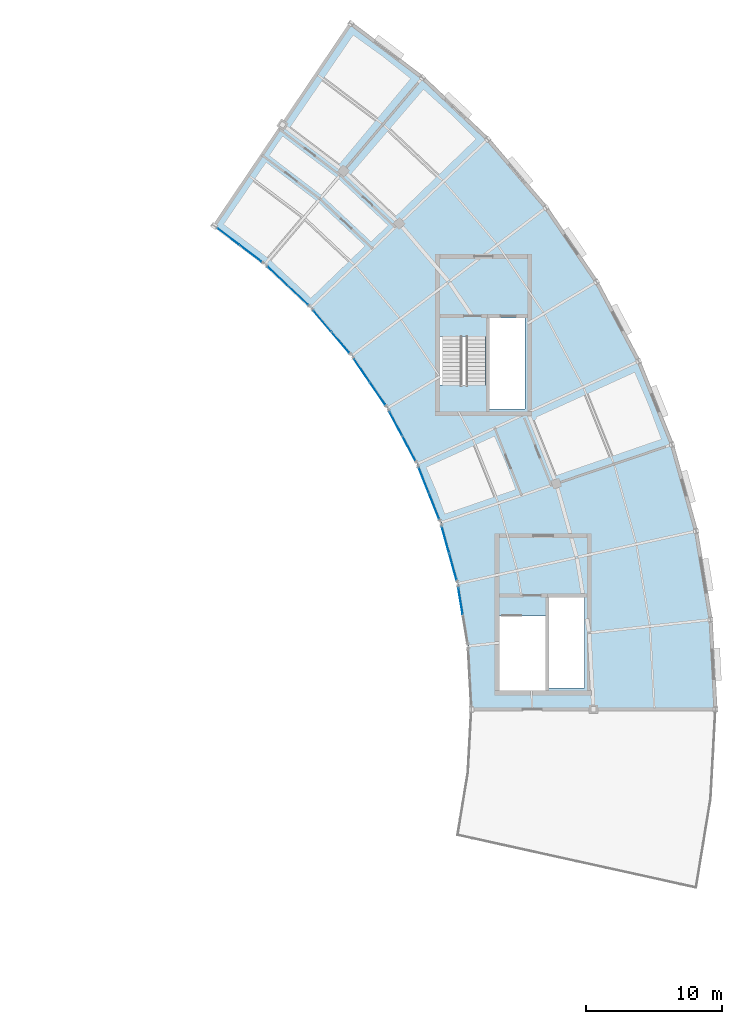
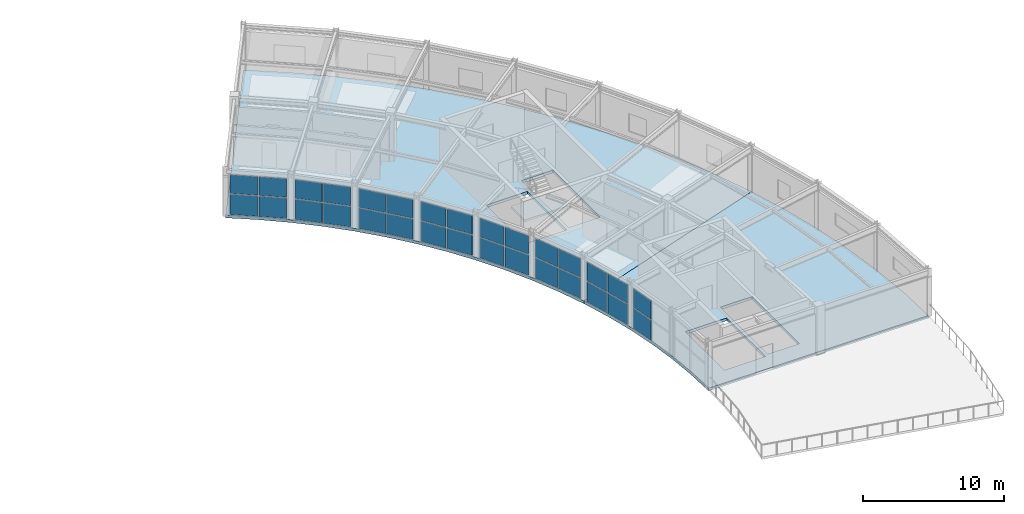
# One storey, part 16 of 29: 30 plates, 3 slabs, 9 elements without a shape of their own.
"""IFC4 building model written with IfcOpenShell, lengths in metres."""

from ifc_helpers import new_model, si_unit, direction, frame, origin, origin_2d, place, context, subcontext, project, spatial, polyline, rectangle, outline, extrude, material, layer, layer_set, type_object, element, aggregate, save


model = new_model("IFC4")

# Units and contexts
model_context = context("Model", 3, precision=1e-05, world=origin(), true_north=direction((0.0, 1.0)))
body_context = subcontext(model_context, "Body", "Model", "MODEL_VIEW")
ifc_project = project(units=[si_unit("LENGTHUNIT", "METRE"), si_unit("AREAUNIT", "SQUARE_METRE"), si_unit("VOLUMEUNIT", "CUBIC_METRE"), si_unit("PLANEANGLEUNIT", "RADIAN"), si_unit("MASSUNIT", "GRAM", prefix="KILO")], contexts=[model_context])

# Site, building, storey
site_placement = place(None, origin())
site = spatial("IfcSite", under=ifc_project, at=site_placement, CompositionType="ELEMENT")
building_placement = place(site_placement, origin())
building = spatial("IfcBuilding", under=site, at=building_placement, Name="Tarnveldt Headland Concert Hall", CompositionType="ELEMENT")
storey_placement = place(building_placement, frame((0.0, 0.0, 18.60009765625)))
storey = spatial("IfcBuildingStorey", under=building, at=storey_placement, Name="L04", CompositionType="ELEMENT", Elevation=18.60009765625)

# Curtain wall, plates
ifc_material_1 = material(Name="Marine-anodised aluminium EN AW-6063-T6", Category="aluminium")
curtain_wall_type = type_object("IfcCurtainWallType", Name="CW-C5", PredefinedType="NOTDEFINED", material=ifc_material_1)
curtain_wall_1_placement = place(storey_placement, origin())
curtain_wall_1 = element("IfcCurtainWall", 1, at=curtain_wall_1_placement, inside=storey, type_object=curtain_wall_type, Name="Curtain wall CW-L04-148", PredefinedType="NOTDEFINED")
ifc_material_2 = material(Name="Acoustic laminated low-iron double glazing", Category="glass")
ifc_layer_1 = layer(ifc_material_2, 0.02490234375, Name="Acoustic laminated low-iron double glazing", Category="glass")
ifc_layer_set_1 = layer_set([ifc_layer_1], Name="Acoustic laminated low-iron double glazing")
plate_type = type_object("IfcPlateType", Name="PN-C5", PredefinedType="CURTAIN_PANEL", material=ifc_layer_set_1)
plate_1_placement = place(storey_placement, frame((159.700439453125, 67.98388671875, 0.09228515625), z_axis=(0.0, 0.0, 1.0), x_axis=(-0.162172182357, 0.986762475609, 0.0)))
plate_1 = element("IfcPlate", 2, at=plate_1_placement, type_object=plate_type, Name="Glazed panel CW-L04-148-2-1", PredefinedType="CURTAIN_PANEL", context=body_context, shape_type="SweptSolid", body=[
    extrude(rectangle(XDim=1.964599609375, YDim=0.02490234375, at=origin_2d()), origin(), (0.0, 0.0, 1.0), 1.747314453125),
])
plate_2_placement = place(storey_placement, frame((159.700439453125, 67.98388671875, 1.9248046875), z_axis=(0.0, 0.0, 1.0), x_axis=(-0.162172182357, 0.986762475609, 0.0)))
plate_2 = element("IfcPlate", 3, at=plate_2_placement, type_object=plate_type, Name="Glazed panel CW-L04-148-2-2", PredefinedType="CURTAIN_PANEL", context=body_context, shape_type="SweptSolid", body=[
    extrude(rectangle(XDim=1.964599609375, YDim=0.02490234375, at=origin_2d()), origin(), (0.0, 0.0, 1.0), 1.6025390625),
])
aggregate(curtain_wall_1, [plate_1, plate_2])

curtain_wall_2_placement = place(storey_placement, origin())
curtain_wall_2 = element("IfcCurtainWall", 4, at=curtain_wall_2_placement, inside=storey, type_object=curtain_wall_type, Name="Curtain wall CW-L04-149", PredefinedType="NOTDEFINED")
plate_3_placement = place(storey_placement, frame((159.141357421875, 70.51806640625, 0.09228515625), z_axis=(0.0, 0.0, 1.0), x_axis=(-0.26814645756, 0.963378159031, 0.0)))
plate_3 = element("IfcPlate", 5, at=plate_3_placement, type_object=plate_type, Name="Glazed panel CW-L04-149-1-1", PredefinedType="CURTAIN_PANEL", context=body_context, shape_type="SweptSolid", body=[
    extrude(rectangle(XDim=1.964599609375, YDim=0.02490234375, at=origin_2d()), origin(), (0.0, 0.0, 1.0), 1.747314453125),
])
plate_4_placement = place(storey_placement, frame((159.141357421875, 70.51806640625, 1.9248046875), z_axis=(0.0, 0.0, 1.0), x_axis=(-0.26814645756, 0.963378159031, 0.0)))
plate_4 = element("IfcPlate", 6, at=plate_4_placement, type_object=plate_type, Name="Glazed panel CW-L04-149-1-2", PredefinedType="CURTAIN_PANEL", context=body_context, shape_type="SweptSolid", body=[
    extrude(rectangle(XDim=1.964599609375, YDim=0.02490234375, at=origin_2d()), origin(), (0.0, 0.0, 1.0), 1.6025390625),
])
plate_5_placement = place(storey_placement, frame((158.58642578125, 72.510986328125, 0.09228515625), z_axis=(0.0, 0.0, 1.0), x_axis=(-0.26814645756, 0.963378159031, 0.0)))
plate_5 = element("IfcPlate", 7, at=plate_5_placement, type_object=plate_type, Name="Glazed panel CW-L04-149-2-1", PredefinedType="CURTAIN_PANEL", context=body_context, shape_type="SweptSolid", body=[
    extrude(rectangle(XDim=1.964599609375, YDim=0.02490234375, at=origin_2d()), origin(), (0.0, 0.0, 1.0), 1.747314453125),
])
plate_6_placement = place(storey_placement, frame((158.58642578125, 72.510986328125, 1.9248046875), z_axis=(0.0, 0.0, 1.0), x_axis=(-0.26814645756, 0.963378159031, 0.0)))
plate_6 = element("IfcPlate", 8, at=plate_6_placement, type_object=plate_type, Name="Glazed panel CW-L04-149-2-2", PredefinedType="CURTAIN_PANEL", context=body_context, shape_type="SweptSolid", body=[
    extrude(rectangle(XDim=1.964599609375, YDim=0.02490234375, at=origin_2d()), origin(), (0.0, 0.0, 1.0), 1.6025390625),
])
aggregate(curtain_wall_2, [plate_3, plate_4, plate_5, plate_6])

curtain_wall_3_placement = place(storey_placement, origin())
curtain_wall_3 = element("IfcCurtainWall", 9, at=curtain_wall_3_placement, inside=storey, type_object=curtain_wall_type, Name="Curtain wall CW-L04-150", PredefinedType="NOTDEFINED")
plate_7_placement = place(storey_placement, frame((157.756103515625, 74.96923828125, 0.09228515625), z_axis=(0.0, 0.0, 1.0), x_axis=(-0.371027502784, 0.928621877934, 0.0)))
plate_7 = element("IfcPlate", 10, at=plate_7_placement, type_object=plate_type, Name="Glazed panel CW-L04-150-1-1", PredefinedType="CURTAIN_PANEL", context=body_context, shape_type="SweptSolid", body=[
    extrude(rectangle(XDim=1.964599609375, YDim=0.02490234375, at=origin_2d()), origin(), (0.0, 0.0, 1.0), 1.747314453125),
])
plate_8_placement = place(storey_placement, frame((157.756103515625, 74.96923828125, 1.9248046875), z_axis=(0.0, 0.0, 1.0), x_axis=(-0.371027502784, 0.928621877934, 0.0)))
plate_8 = element("IfcPlate", 11, at=plate_8_placement, type_object=plate_type, Name="Glazed panel CW-L04-150-1-2", PredefinedType="CURTAIN_PANEL", context=body_context, shape_type="SweptSolid", body=[
    extrude(rectangle(XDim=1.964599609375, YDim=0.02490234375, at=origin_2d()), origin(), (0.0, 0.0, 1.0), 1.6025390625),
])
plate_9_placement = place(storey_placement, frame((156.988525390625, 76.890380859375, 0.09228515625), z_axis=(0.0, 0.0, 1.0), x_axis=(-0.371027502784, 0.928621877934, 0.0)))
plate_9 = element("IfcPlate", 12, at=plate_9_placement, type_object=plate_type, Name="Glazed panel CW-L04-150-2-1", PredefinedType="CURTAIN_PANEL", context=body_context, shape_type="SweptSolid", body=[
    extrude(rectangle(XDim=1.964599609375, YDim=0.02490234375, at=origin_2d()), origin(), (0.0, 0.0, 1.0), 1.747314453125),
])
plate_10_placement = place(storey_placement, frame((156.988525390625, 76.890380859375, 1.9248046875), z_axis=(0.0, 0.0, 1.0), x_axis=(-0.371027502784, 0.928621877934, 0.0)))
plate_10 = element("IfcPlate", 13, at=plate_10_placement, type_object=plate_type, Name="Glazed panel CW-L04-150-2-2", PredefinedType="CURTAIN_PANEL", context=body_context, shape_type="SweptSolid", body=[
    extrude(rectangle(XDim=1.964599609375, YDim=0.02490234375, at=origin_2d()), origin(), (0.0, 0.0, 1.0), 1.6025390625),
])
aggregate(curtain_wall_3, [plate_7, plate_8, plate_9, plate_10])

curtain_wall_4_placement = place(storey_placement, origin())
curtain_wall_4 = element("IfcCurtainWall", 14, at=curtain_wall_4_placement, inside=storey, type_object=curtain_wall_type, Name="Curtain wall CW-L04-151", PredefinedType="NOTDEFINED")
plate_11_placement = place(storey_placement, frame((155.896484375, 79.244384765625, 0.09228515625), z_axis=(0.0, 0.0, 1.0), x_axis=(-0.469471562786, 0.882947592859, 0.0)))
plate_11 = element("IfcPlate", 15, at=plate_11_placement, type_object=plate_type, Name="Glazed panel CW-L04-151-1-1", PredefinedType="CURTAIN_PANEL", context=body_context, shape_type="SweptSolid", body=[
    extrude(rectangle(XDim=1.964599609375, YDim=0.02490234375, at=origin_2d()), origin(), (0.0, 0.0, 1.0), 1.747314453125),
])
plate_12_placement = place(storey_placement, frame((155.896484375, 79.244384765625, 1.9248046875), z_axis=(0.0, 0.0, 1.0), x_axis=(-0.469471562786, 0.882947592859, 0.0)))
plate_12 = element("IfcPlate", 16, at=plate_12_placement, type_object=plate_type, Name="Glazed panel CW-L04-151-1-2", PredefinedType="CURTAIN_PANEL", context=body_context, shape_type="SweptSolid", body=[
    extrude(rectangle(XDim=1.964599609375, YDim=0.02490234375, at=origin_2d()), origin(), (0.0, 0.0, 1.0), 1.6025390625),
])
plate_13_placement = place(storey_placement, frame((154.92529296875, 81.07080078125, 0.09228515625), z_axis=(0.0, 0.0, 1.0), x_axis=(-0.469471562786, 0.882947592859, 0.0)))
plate_13 = element("IfcPlate", 17, at=plate_13_placement, type_object=plate_type, Name="Glazed panel CW-L04-151-2-1", PredefinedType="CURTAIN_PANEL", context=body_context, shape_type="SweptSolid", body=[
    extrude(rectangle(XDim=1.964599609375, YDim=0.02490234375, at=origin_2d()), origin(), (0.0, 0.0, 1.0), 1.747314453125),
])
plate_14_placement = place(storey_placement, frame((154.92529296875, 81.07080078125, 1.9248046875), z_axis=(0.0, 0.0, 1.0), x_axis=(-0.469471562786, 0.882947592859, 0.0)))
plate_14 = element("IfcPlate", 18, at=plate_14_placement, type_object=plate_type, Name="Glazed panel CW-L04-151-2-2", PredefinedType="CURTAIN_PANEL", context=body_context, shape_type="SweptSolid", body=[
    extrude(rectangle(XDim=1.964599609375, YDim=0.02490234375, at=origin_2d()), origin(), (0.0, 0.0, 1.0), 1.6025390625),
])
aggregate(curtain_wall_4, [plate_11, plate_12, plate_13, plate_14])

curtain_wall_5_placement = place(storey_placement, origin())
curtain_wall_5 = element("IfcCurtainWall", 19, at=curtain_wall_5_placement, inside=storey, type_object=curtain_wall_type, Name="Curtain wall CW-L04-152", PredefinedType="NOTDEFINED")
plate_15_placement = place(storey_placement, frame((153.58447265625, 83.29248046875, 0.09228515625), z_axis=(0.0, 0.0, 1.0), x_axis=(-0.562415343977, 0.826854872913, 0.0)))
plate_15 = element("IfcPlate", 20, at=plate_15_placement, type_object=plate_type, Name="Glazed panel CW-L04-152-1-1", PredefinedType="CURTAIN_PANEL", context=body_context, shape_type="SweptSolid", body=[
    extrude(rectangle(XDim=1.964599609375, YDim=0.02490234375, at=origin_2d()), origin(), (0.0, 0.0, 1.0), 1.747314453125),
])
plate_16_placement = place(storey_placement, frame((153.58447265625, 83.29248046875, 1.9248046875), z_axis=(0.0, 0.0, 1.0), x_axis=(-0.562415343977, 0.826854872913, 0.0)))
plate_16 = element("IfcPlate", 21, at=plate_16_placement, type_object=plate_type, Name="Glazed panel CW-L04-152-1-2", PredefinedType="CURTAIN_PANEL", context=body_context, shape_type="SweptSolid", body=[
    extrude(rectangle(XDim=1.964599609375, YDim=0.02490234375, at=origin_2d()), origin(), (0.0, 0.0, 1.0), 1.6025390625),
])
plate_17_placement = place(storey_placement, frame((152.4208984375, 85.0029296875, 0.09228515625), z_axis=(0.0, 0.0, 1.0), x_axis=(-0.562415343977, 0.826854872913, 0.0)))
plate_17 = element("IfcPlate", 22, at=plate_17_placement, type_object=plate_type, Name="Glazed panel CW-L04-152-2-1", PredefinedType="CURTAIN_PANEL", context=body_context, shape_type="SweptSolid", body=[
    extrude(rectangle(XDim=1.964599609375, YDim=0.02490234375, at=origin_2d()), origin(), (0.0, 0.0, 1.0), 1.747314453125),
])
plate_18_placement = place(storey_placement, frame((152.4208984375, 85.0029296875, 1.9248046875), z_axis=(0.0, 0.0, 1.0), x_axis=(-0.562415343977, 0.826854872913, 0.0)))
plate_18 = element("IfcPlate", 23, at=plate_18_placement, type_object=plate_type, Name="Glazed panel CW-L04-152-2-2", PredefinedType="CURTAIN_PANEL", context=body_context, shape_type="SweptSolid", body=[
    extrude(rectangle(XDim=1.964599609375, YDim=0.02490234375, at=origin_2d()), origin(), (0.0, 0.0, 1.0), 1.6025390625),
])
aggregate(curtain_wall_5, [plate_15, plate_16, plate_17, plate_18])

curtain_wall_6_placement = place(storey_placement, origin())
curtain_wall_6 = element("IfcCurtainWall", 24, at=curtain_wall_6_placement, inside=storey, type_object=curtain_wall_type, Name="Curtain wall CW-L04-153", PredefinedType="NOTDEFINED")
plate_19_placement = place(storey_placement, frame((150.847412109375, 87.06640625, 0.09228515625), z_axis=(0.0, 0.0, 1.0), x_axis=(-0.648717811893, 0.761029040532, 0.0)))
plate_19 = element("IfcPlate", 25, at=plate_19_placement, type_object=plate_type, Name="Glazed panel CW-L04-153-1-1", PredefinedType="CURTAIN_PANEL", context=body_context, shape_type="SweptSolid", body=[
    extrude(rectangle(XDim=1.964599609375, YDim=0.02490234375, at=origin_2d()), origin(), (0.0, 0.0, 1.0), 1.747314453125),
])
plate_20_placement = place(storey_placement, frame((150.847412109375, 87.06640625, 1.9248046875), z_axis=(0.0, 0.0, 1.0), x_axis=(-0.648717811893, 0.761029040532, 0.0)))
plate_20 = element("IfcPlate", 26, at=plate_20_placement, type_object=plate_type, Name="Glazed panel CW-L04-153-1-2", PredefinedType="CURTAIN_PANEL", context=body_context, shape_type="SweptSolid", body=[
    extrude(rectangle(XDim=1.964599609375, YDim=0.02490234375, at=origin_2d()), origin(), (0.0, 0.0, 1.0), 1.6025390625),
])
plate_21_placement = place(storey_placement, frame((149.50537109375, 88.640625, 0.09228515625), z_axis=(0.0, 0.0, 1.0), x_axis=(-0.648717811893, 0.761029040532, 0.0)))
plate_21 = element("IfcPlate", 27, at=plate_21_placement, type_object=plate_type, Name="Glazed panel CW-L04-153-2-1", PredefinedType="CURTAIN_PANEL", context=body_context, shape_type="SweptSolid", body=[
    extrude(rectangle(XDim=1.964599609375, YDim=0.02490234375, at=origin_2d()), origin(), (0.0, 0.0, 1.0), 1.747314453125),
])
plate_22_placement = place(storey_placement, frame((149.50537109375, 88.640625, 1.9248046875), z_axis=(0.0, 0.0, 1.0), x_axis=(-0.648717811893, 0.761029040532, 0.0)))
plate_22 = element("IfcPlate", 28, at=plate_22_placement, type_object=plate_type, Name="Glazed panel CW-L04-153-2-2", PredefinedType="CURTAIN_PANEL", context=body_context, shape_type="SweptSolid", body=[
    extrude(rectangle(XDim=1.964599609375, YDim=0.02490234375, at=origin_2d()), origin(), (0.0, 0.0, 1.0), 1.6025390625),
])
aggregate(curtain_wall_6, [plate_19, plate_20, plate_21, plate_22])

curtain_wall_7_placement = place(storey_placement, origin())
curtain_wall_7 = element("IfcCurtainWall", 29, at=curtain_wall_7_placement, inside=storey, type_object=curtain_wall_type, Name="Curtain wall CW-L04-154", PredefinedType="NOTDEFINED")
plate_23_placement = place(storey_placement, frame((147.71728515625, 90.521240234375, 0.09228515625), z_axis=(0.0, 0.0, 1.0), x_axis=(-0.727377633953, 0.686237406169, 0.0)))
plate_23 = element("IfcPlate", 30, at=plate_23_placement, type_object=plate_type, Name="Glazed panel CW-L04-154-1-1", PredefinedType="CURTAIN_PANEL", context=body_context, shape_type="SweptSolid", body=[
    extrude(rectangle(XDim=1.964599609375, YDim=0.02490234375, at=origin_2d()), origin(), (0.0, 0.0, 1.0), 1.747314453125),
])
plate_24_placement = place(storey_placement, frame((147.71728515625, 90.521240234375, 1.9248046875), z_axis=(0.0, 0.0, 1.0), x_axis=(-0.727377633953, 0.686237406169, 0.0)))
plate_24 = element("IfcPlate", 31, at=plate_24_placement, type_object=plate_type, Name="Glazed panel CW-L04-154-1-2", PredefinedType="CURTAIN_PANEL", context=body_context, shape_type="SweptSolid", body=[
    extrude(rectangle(XDim=1.964599609375, YDim=0.02490234375, at=origin_2d()), origin(), (0.0, 0.0, 1.0), 1.6025390625),
])
plate_25_placement = place(storey_placement, frame((146.21240234375, 91.94091796875, 0.09228515625), z_axis=(0.0, 0.0, 1.0), x_axis=(-0.727377633953, 0.686237406169, 0.0)))
plate_25 = element("IfcPlate", 32, at=plate_25_placement, type_object=plate_type, Name="Glazed panel CW-L04-154-2-1", PredefinedType="CURTAIN_PANEL", context=body_context, shape_type="SweptSolid", body=[
    extrude(rectangle(XDim=1.964599609375, YDim=0.02490234375, at=origin_2d()), origin(), (0.0, 0.0, 1.0), 1.747314453125),
])
plate_26_placement = place(storey_placement, frame((146.21240234375, 91.94091796875, 1.9248046875), z_axis=(0.0, 0.0, 1.0), x_axis=(-0.727377633953, 0.686237406169, 0.0)))
plate_26 = element("IfcPlate", 33, at=plate_26_placement, type_object=plate_type, Name="Glazed panel CW-L04-154-2-2", PredefinedType="CURTAIN_PANEL", context=body_context, shape_type="SweptSolid", body=[
    extrude(rectangle(XDim=1.964599609375, YDim=0.02490234375, at=origin_2d()), origin(), (0.0, 0.0, 1.0), 1.6025390625),
])
aggregate(curtain_wall_7, [plate_23, plate_24, plate_25, plate_26])

curtain_wall_8_placement = place(storey_placement, origin())
curtain_wall_8 = element("IfcCurtainWall", 34, at=curtain_wall_8_placement, inside=storey, type_object=curtain_wall_type, Name="Curtain wall CW-L04-155", PredefinedType="NOTDEFINED")
plate_27_placement = place(storey_placement, frame((144.231201171875, 93.616455078125, 0.09228515625), z_axis=(0.0, 0.0, 1.0), x_axis=(-0.797478637023, 0.603347183213, 0.0)))
plate_27 = element("IfcPlate", 35, at=plate_27_placement, type_object=plate_type, Name="Glazed panel CW-L04-155-1-1", PredefinedType="CURTAIN_PANEL", context=body_context, shape_type="SweptSolid", body=[
    extrude(rectangle(XDim=1.964599609375, YDim=0.02490234375, at=origin_2d()), origin(), (0.0, 0.0, 1.0), 1.747314453125),
])
plate_28_placement = place(storey_placement, frame((144.231201171875, 93.616455078125, 1.9248046875), z_axis=(0.0, 0.0, 1.0), x_axis=(-0.797478637023, 0.603347183213, 0.0)))
plate_28 = element("IfcPlate", 36, at=plate_28_placement, type_object=plate_type, Name="Glazed panel CW-L04-155-1-2", PredefinedType="CURTAIN_PANEL", context=body_context, shape_type="SweptSolid", body=[
    extrude(rectangle(XDim=1.964599609375, YDim=0.02490234375, at=origin_2d()), origin(), (0.0, 0.0, 1.0), 1.6025390625),
])
plate_29_placement = place(storey_placement, frame((142.58154296875, 94.864501953125, 0.09228515625), z_axis=(0.0, 0.0, 1.0), x_axis=(-0.797478637023, 0.603347183213, 0.0)))
plate_29 = element("IfcPlate", 37, at=plate_29_placement, type_object=plate_type, Name="Glazed panel CW-L04-155-2-1", PredefinedType="CURTAIN_PANEL", context=body_context, shape_type="SweptSolid", body=[
    extrude(rectangle(XDim=1.964599609375, YDim=0.02490234375, at=origin_2d()), origin(), (0.0, 0.0, 1.0), 1.747314453125),
])
plate_30_placement = place(storey_placement, frame((142.58154296875, 94.864501953125, 1.9248046875), z_axis=(0.0, 0.0, 1.0), x_axis=(-0.797478637023, 0.603347183213, 0.0)))
plate_30 = element("IfcPlate", 38, at=plate_30_placement, type_object=plate_type, Name="Glazed panel CW-L04-155-2-2", PredefinedType="CURTAIN_PANEL", context=body_context, shape_type="SweptSolid", body=[
    extrude(rectangle(XDim=1.964599609375, YDim=0.02490234375, at=origin_2d()), origin(), (0.0, 0.0, 1.0), 1.6025390625),
])
aggregate(curtain_wall_8, [plate_27, plate_28, plate_29, plate_30])

# Slabs
ifc_material_3 = material(Name="Concrete C40/50", Category="concrete")
ifc_layer_2 = layer(ifc_material_3, 0.239990234375, Name="Concrete C40/50", Category="concrete")
ifc_layer_set_2 = layer_set([ifc_layer_2], Name="Concrete C40/50")
slab_type_1 = type_object("IfcSlabType", Name="SL-FL240", PredefinedType="FLOOR", material=ifc_layer_set_2)
slab_1_placement = place(storey_placement, frame((0.0, 0.0, -0.239990234375)))
element("IfcSlab", 39, at=slab_1_placement, inside=storey, type_object=slab_type_1, Name="Crescent wing floor slab L04 sector 1", PredefinedType="FLOOR", context=body_context, shape_type="SweptSolid", body=[
    extrude(outline(polyline([(160.4365234375, 62.333740234375), (160.5, 60.0), (178.5, 60.0), (178.41015625, 63.310546875), (178.140625, 66.611572265625), (177.6923828125, 69.892822265625), (177.06689453125, 73.14501953125), (176.265625, 76.3583984375), (175.291259765625, 79.523681640625), (158.238037109375, 73.7626953125), (158.9248046875, 71.531494140625), (159.48974609375, 69.26611328125), (159.9306640625, 66.9736328125), (160.24658203125, 64.66064453125), (160.4365234375, 62.333740234375)]), holes=[polyline([(162.580078125, 66.8798828125), (165.9599609375, 66.8798828125), (165.9599609375, 61.3798828125), (162.580078125, 61.3798828125), (162.580078125, 66.8798828125)]), polyline([(168.840087890625, 68.260009765625), (168.840087890625, 61.56005859375), (166.239990234375, 61.56005859375), (166.239990234375, 68.260009765625), (168.840087890625, 68.260009765625)])]), origin(), (0.0, 0.0, 1.0), 0.239990234375),
])
slab_2_placement = place(storey_placement, frame((0.0, 0.0, -0.239990234375)))
element("IfcSlab", 40, at=slab_2_placement, inside=storey, type_object=slab_type_1, Name="Crescent wing floor slab L04 sector 2", PredefinedType="FLOOR", context=body_context, shape_type="SweptSolid", body=[
    extrude(outline(polyline([(157.43115234375, 75.953369140625), (158.238037109375, 73.7626953125), (175.291259765625, 79.523681640625), (174.146484375, 82.631591796875), (172.834716796875, 85.672607421875), (171.35986328125, 88.6376953125), (169.726318359375, 91.518798828125), (167.938720703125, 94.306640625), (166.00244140625, 96.993408203125), (163.923095703125, 99.5712890625), (161.70703125, 102.032470703125), (159.360595703125, 104.369873046875), (156.89111328125, 106.576416015625), (154.30517578125, 108.6455078125), (151.61083984375, 110.5712890625), (141.54541015625, 95.648681640625), (143.444580078125, 94.291015625), (145.267333984375, 92.83251953125), (147.00830078125, 91.277099609375), (148.662353515625, 89.62939453125), (150.224609375, 87.89453125), (151.690185546875, 86.077392578125), (153.05517578125, 84.183349609375), (154.315185546875, 82.218017578125), (155.466796875, 80.187255859375), (156.50634765625, 78.096923828125), (157.43115234375, 75.953369140625)]), holes=[polyline([(158.179931640625, 87.47998046875), (161.56005859375, 87.47998046875), (161.56005859375, 81.97998046875), (158.179931640625, 81.97998046875), (158.179931640625, 87.47998046875)]), polyline([(164.43994140625, 88.860107421875), (164.43994140625, 82.159912109375), (161.840087890625, 82.159912109375), (161.840087890625, 88.860107421875), (164.43994140625, 88.860107421875)])]), origin(), (0.0, 0.0, 1.0), 0.239990234375),
])

# Stair, slab
stair_type = type_object("IfcStairType", Name="ST-CORE420", PredefinedType="HALF_TURN_STAIR", material=ifc_material_3)
stair_placement = place(storey_placement, origin())
stair = element("IfcStair", 41, at=stair_placement, inside=storey, type_object=stair_type, Name="Exit stair STR-C3-L04", PredefinedType="HALF_TURN_STAIR")
ifc_layer_3 = layer(ifc_material_3, 0.179931640625, Name="Concrete C40/50", Category="concrete")
ifc_layer_set_3 = layer_set([ifc_layer_3], Name="Concrete C40/50")
slab_type_2 = type_object("IfcSlabType", Name="SL-STLND180", PredefinedType="LANDING", material=ifc_layer_set_3)
slab_3_placement = place(storey_placement, frame((0.0, 0.0, 1.919921875)))
slab_3 = element("IfcSlab", 42, at=slab_3_placement, type_object=slab_type_2, Name="Stair half-landing STR-C3-L04", PredefinedType="LANDING", context=body_context, shape_type="SweptSolid", body=[
    extrude(outline(polyline([(158.1201171875, 81.919921875), (161.679931640625, 81.919921875), (161.679931640625, 83.919921875), (158.1201171875, 83.919921875), (158.1201171875, 81.919921875)])), origin(), (0.0, 0.0, 1.0), 0.179931640625),
])
aggregate(stair, [slab_3])

save(model, "model.ifc")
